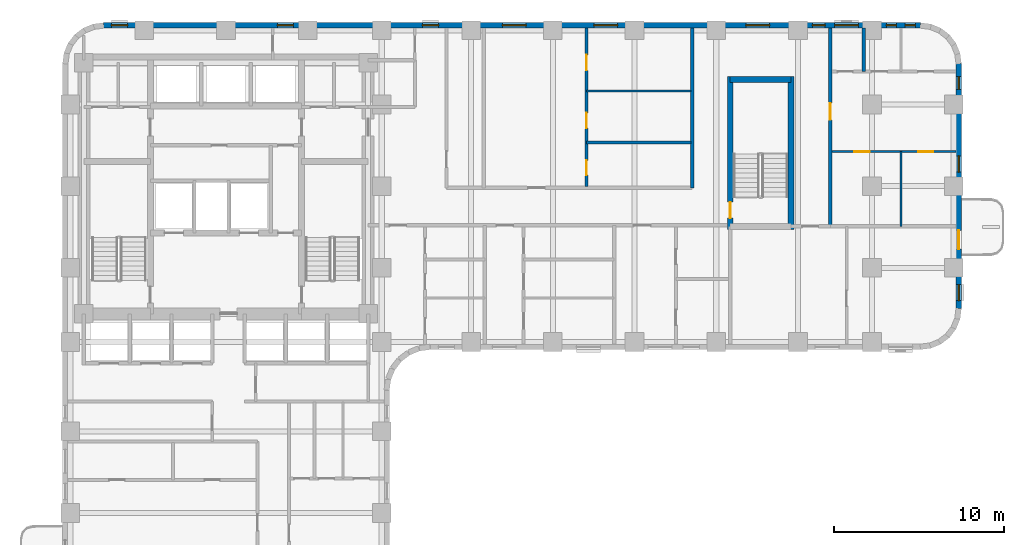
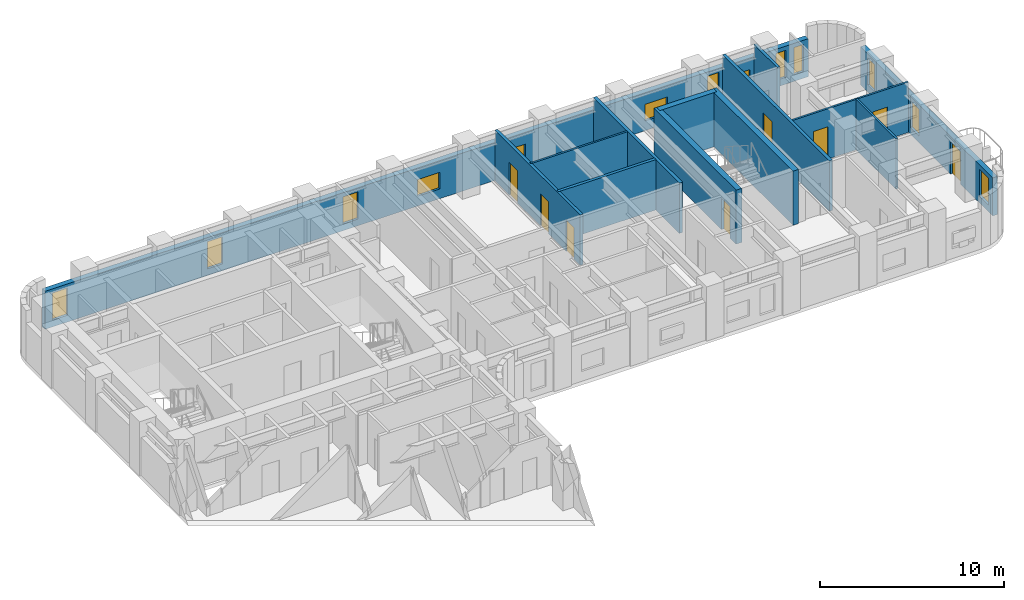
# One storey, part 7 of 11: 13 walls, 13 windows, 8 doors, 21 openings.
"""IFC4 building model written with IfcOpenShell, lengths in metres."""

from ifc_helpers import new_model, si_unit, direction, frame, frame_2d, origin, place, context, subcontext, project, spatial, rectangle, extrude, material, layer, layer_set, type_object, element, fill, save


model = new_model("IFC4")

# Units and contexts
model_context = context("Model", 3, precision=1e-05, world=origin(), true_north=direction((0.0, 1.0)))
body_context = subcontext(model_context, "Body", "Model", "MODEL_VIEW")
ifc_project = project(units=[si_unit("LENGTHUNIT", "METRE"), si_unit("AREAUNIT", "SQUARE_METRE"), si_unit("VOLUMEUNIT", "CUBIC_METRE"), si_unit("PLANEANGLEUNIT", "RADIAN"), si_unit("MASSUNIT", "GRAM", prefix="KILO")], contexts=[model_context])

# Site, building, storey
site_placement = place(None, origin())
site = spatial("IfcSite", under=ifc_project, at=site_placement, CompositionType="ELEMENT")
building_placement = place(site_placement, origin())
building = spatial("IfcBuilding", under=site, at=building_placement, Name="Orvandelia Arch Residences", CompositionType="ELEMENT")
storey_placement = place(building_placement, frame((0.0, 0.0, 46.60009765625)))
storey = spatial("IfcBuildingStorey", under=building, at=storey_placement, Name="L11", CompositionType="ELEMENT", Elevation=46.60009765625)

# Wall, opening, door
ifc_material_1 = material(Name="Concrete C50/60", Category="concrete")
ifc_layer_1 = layer(ifc_material_1, 0.35009765625, Name="Concrete C50/60", Category="concrete")
ifc_layer_set_1 = layer_set([ifc_layer_1], Name="Concrete C50/60")
wall_type_1 = type_object("IfcWallType", Name="WL-CORE-350", PredefinedType="SHEAR", material=ifc_layer_set_1)
wall_1_placement = place(storey_placement, frame((44.02001953125, 35.864990234375, 0.0), z_axis=(0.0, 0.0, 1.0), x_axis=(0.0, 1.0, 0.0)))
wall_1 = element("IfcWall", 1, at=wall_1_placement, inside=storey, type_object=wall_type_1, Name="East Stair Core Shear Wall L11-W", PredefinedType="SHEAR", context=body_context, shape_type="SweptSolid", body=[
    extrude(rectangle(XDim=8.969970703125, YDim=0.35009765625, at=frame_2d((4.48486328125, 0.0))), origin(), (0.0, 0.0, 1.0), 3.599853515625),
])
opening_1_placement = place(wall_1_placement, frame((0.64990234375, 0.0, 0.0)))
opening_1 = element("IfcOpeningElement", 2, at=opening_1_placement, cuts=wall_1, Name="Opening D7", PredefinedType="OPENING", context=body_context, shape_type="SweptSolid", body=[
    extrude(rectangle(XDim=0.949951171875, YDim=2.10009765625, at=frame_2d((0.47509765625, 1.050048828125))), frame((0.0, 0.18505859375, 0.0), z_axis=(0.0, -1.0, 0.0), x_axis=(1.0, 0.0, 0.0)), (0.0, 0.0, 1.0), 0.3701171875),
])
ifc_material_2 = material(Name="Pressurised Stairwell Fire Door")
door_type_1 = type_object("IfcDoorType", Name="DR-STAIR-950", OperationType="NOTDEFINED", PredefinedType="DOOR", material=ifc_material_2)
door_1_placement = place(opening_1_placement, origin())
door_1 = element("IfcDoor", 3, at=door_1_placement, inside=storey, type_object=door_type_1, Name="East Stairwell ST-3 Fire Door L11", OperationType="SINGLE_SWING_LEFT", OverallHeight=2.10009765625, OverallWidth=0.949951171875, PredefinedType="DOOR", context=body_context, shape_type="SweptSolid", body=[
    extrude(rectangle(XDim=0.949951171875, YDim=2.10009765625, at=frame_2d((0.47509765625, 1.050048828125))), frame((0.0, 0.02490234375, 0.0), z_axis=(0.0, -1.0, 0.0), x_axis=(1.0, 0.0, 0.0)), (0.0, 0.0, 1.0), 0.050048828125),
])
fill(opening_1, door_1)

# Walls
wall_2_placement = place(storey_placement, frame((47.60009765625, 35.864990234375, 0.0), z_axis=(0.0, 0.0, 1.0), x_axis=(0.0, 1.0, 0.0)))
element("IfcWall", 4, at=wall_2_placement, inside=storey, type_object=wall_type_1, Name="East Stair Core Shear Wall L11-E", PredefinedType="SHEAR", context=body_context, shape_type="SweptSolid", body=[
    extrude(rectangle(XDim=8.969970703125, YDim=0.35009765625, at=frame_2d((4.48486328125, 0.0))), origin(), (0.0, 0.0, 1.0), 3.599853515625),
])
wall_3_placement = place(storey_placement, frame((44.02001953125, 44.659912109375, 0.0), z_axis=(0.0, 0.0, 1.0), x_axis=(1.0, 0.0, 0.0)))
element("IfcWall", 5, at=wall_3_placement, inside=storey, type_object=wall_type_1, Name="East Stair Core Shear Wall L11-N", PredefinedType="SHEAR", context=body_context, shape_type="SweptSolid", body=[
    extrude(rectangle(XDim=3.580078125, YDim=0.35009765625, at=frame_2d((1.7900390625, 0.0))), origin(), (0.0, 0.0, 1.0), 3.599853515625),
])
ifc_material_3 = material(Name="Fire-Rated Corridor Partition")
ifc_layer_2 = layer(ifc_material_3, 0.199951171875, Name="Fire-Rated Corridor Partition")
ifc_layer_set_2 = layer_set([ifc_layer_2], Name="Fire-Rated Corridor Partition")
wall_type_2 = type_object("IfcWallType", Name="WL-CORR-200", PredefinedType="PARTITIONING", material=ifc_layer_set_2)
wall_4_placement = place(storey_placement, frame((41.780029296875, 38.300048828125, 0.0), z_axis=(0.0, 0.0, 1.0), x_axis=(0.0, 1.0, 0.0)))
element("IfcWall", 6, at=wall_4_placement, inside=storey, type_object=wall_type_2, Name="Interior Partition Wall WL-L11-ETV-W", PredefinedType="PARTITIONING", context=body_context, shape_type="SweptSolid", body=[
    extrude(rectangle(XDim=9.3798828125, YDim=0.199951171875, at=frame_2d((4.68994140625, 0.0))), origin(), (0.0, 0.0, 1.0), 3.349853515625),
])

# Wall, opening, door
wall_5_placement = place(storey_placement, frame((49.89990234375, 36.0400390625, 0.0), z_axis=(0.0, 0.0, 1.0), x_axis=(0.0, 1.0, 0.0)))
wall_5 = element("IfcWall", 7, at=wall_5_placement, inside=storey, type_object=wall_type_2, Name="Interior Partition Wall WL-L11-ETE-E", PredefinedType="PARTITIONING", context=body_context, shape_type="SweptSolid", body=[
    extrude(rectangle(XDim=11.639892578125, YDim=0.199951171875, at=frame_2d((5.81982421875, 0.0))), origin(), (0.0, 0.0, 1.0), 3.349853515625),
])
opening_2_placement = place(wall_5_placement, frame((6.25146484375, 0.0, 0.0)))
opening_2 = element("IfcOpeningElement", 8, at=opening_2_placement, cuts=wall_5, Name="Opening D1", PredefinedType="OPENING", context=body_context, shape_type="SweptSolid", body=[
    extrude(rectangle(XDim=0.97998046875, YDim=2.179931640625, at=frame_2d((0.489990234375, 1.08984375))), frame((0.0, 0.10986328125, 0.0), z_axis=(0.0, -1.0, 0.0), x_axis=(1.0, 0.0, 0.0)), (0.0, 0.0, 1.0), 0.219970703125),
])
ifc_material_4 = material(Name="Solid-Core Timber Acoustic Fire Door", Category="wood")
door_type_2 = type_object("IfcDoorType", Name="DR-ENT-980", OperationType="NOTDEFINED", PredefinedType="DOOR", material=ifc_material_4)
door_2_placement = place(opening_2_placement, origin())
door_2 = element("IfcDoor", 9, at=door_2_placement, inside=storey, type_object=door_type_2, Name="Unit L11-10 Entrance Door", OperationType="SINGLE_SWING_RIGHT", OverallHeight=2.179931640625, OverallWidth=0.97998046875, PredefinedType="DOOR", context=body_context, shape_type="SweptSolid", body=[
    extrude(rectangle(XDim=0.97998046875, YDim=2.179931640625, at=frame_2d((0.489990234375, 1.08984375))), frame((0.0, 0.02490234375, 0.0), z_axis=(0.0, -1.0, 0.0), x_axis=(1.0, 0.0, 0.0)), (0.0, 0.0, 1.0), 0.050048828125),
])
fill(opening_2, door_2)

# Wall, openings, windows
ifc_material_5 = material(Name="Precast concrete C40/50", Category="concrete")
ifc_layer_3 = layer(ifc_material_5, 0.320068359375, Name="Precast concrete C40/50", Category="concrete")
ifc_layer_set_3 = layer_set([ifc_layer_3], Name="Precast concrete C40/50")
wall_type_3 = type_object("IfcWallType", Name="WL-EXT-STONE-320", PredefinedType="STANDARD", material=ifc_layer_set_3)
wall_6_placement = place(storey_placement, frame((7.199951171875, 47.840087890625, 0.0), z_axis=(0.0, 0.0, 1.0), x_axis=(1.0, 0.0, 0.0)))
wall_6 = element("IfcWall", 10, at=wall_6_placement, inside=storey, type_object=wall_type_3, Name="Coral-Limestone Precast Facade Wall L11-007", PredefinedType="STANDARD", context=body_context, shape_type="SweptSolid", body=[
    extrude(rectangle(XDim=48.0, YDim=0.320068359375, at=frame_2d((24.0, 0.0))), origin(), (0.0, 0.0, 1.0), 2.52978515625),
])
opening_3_placement = place(wall_6_placement, frame((28.803466796875, 0.0, 0.64990234375)))
opening_3 = element("IfcOpeningElement", 11, at=opening_3_placement, cuts=wall_6, Name="Opening W10", PredefinedType="OPENING", context=body_context, shape_type="SweptSolid", body=[
    extrude(rectangle(XDim=1.39990234375, YDim=1.10009765625, at=frame_2d((0.699951171875, 0.550048828125))), frame((0.0, 0.169921875, 0.0), z_axis=(0.0, -1.0, 0.0), x_axis=(1.0, 0.0, 0.0)), (0.0, 0.0, 1.0), 0.340087890625),
])
opening_4_placement = place(wall_6_placement, frame((47.093994140625, 0.0, 0.449951171875)))
opening_4 = element("IfcOpeningElement", 12, at=opening_4_placement, cuts=wall_6, Name="Opening W12", PredefinedType="OPENING", context=body_context, shape_type="SweptSolid", body=[
    extrude(rectangle(XDim=0.60009765625, YDim=1.800048828125, at=frame_2d((0.300048828125, 0.89990234375))), frame((0.0, 0.169921875, 0.0), z_axis=(0.0, -1.0, 0.0), x_axis=(1.0, 0.0, 0.0)), (0.0, 0.0, 1.0), 0.340087890625),
])
opening_5_placement = place(wall_6_placement, frame((18.739990234375, 0.0, 0.449951171875)))
opening_5 = element("IfcOpeningElement", 13, at=opening_5_placement, cuts=wall_6, Name="Opening W4", PredefinedType="OPENING", context=body_context, shape_type="SweptSolid", body=[
    extrude(rectangle(XDim=0.949951171875, YDim=1.800048828125, at=frame_2d((0.47509765625, 0.89990234375))), frame((0.0, 0.169921875, 0.0), z_axis=(0.0, -1.0, 0.0), x_axis=(1.0, 0.0, 0.0)), (0.0, 0.0, 1.0), 0.340087890625),
])
opening_6_placement = place(wall_6_placement, frame((41.64990234375, 0.0, 0.449951171875)))
opening_6 = element("IfcOpeningElement", 14, at=opening_6_placement, cuts=wall_6, Name="Opening W11", PredefinedType="OPENING", context=body_context, shape_type="SweptSolid", body=[
    extrude(rectangle(XDim=0.75, YDim=1.800048828125, at=frame_2d((0.375, 0.89990234375))), frame((0.0, 0.169921875, 0.0), z_axis=(0.0, -1.0, 0.0), x_axis=(1.0, 0.0, 0.0)), (0.0, 0.0, 1.0), 0.340087890625),
])
opening_7_placement = place(wall_6_placement, frame((37.736083984375, 0.0, 0.64990234375)))
opening_7 = element("IfcOpeningElement", 15, at=opening_7_placement, cuts=wall_6, Name="Opening W10", PredefinedType="OPENING", context=body_context, shape_type="SweptSolid", body=[
    extrude(rectangle(XDim=1.39990234375, YDim=1.10009765625, at=frame_2d((0.699951171875, 0.550048828125))), frame((0.0, 0.169921875, 0.0), z_axis=(0.0, -1.0, 0.0), x_axis=(1.0, 0.0, 0.0)), (0.0, 0.0, 1.0), 0.340087890625),
])
opening_8_placement = place(wall_6_placement, frame((0.469970703125, 0.0, 0.449951171875)))
opening_8 = element("IfcOpeningElement", 16, at=opening_8_placement, cuts=wall_6, Name="Opening W4", PredefinedType="OPENING", context=body_context, shape_type="SweptSolid", body=[
    extrude(rectangle(XDim=0.949951171875, YDim=1.800048828125, at=frame_2d((0.47509765625, 0.89990234375))), frame((0.0, 0.169921875, 0.0), z_axis=(0.0, -1.0, 0.0), x_axis=(1.0, 0.0, 0.0)), (0.0, 0.0, 1.0), 0.340087890625),
])
opening_9_placement = place(wall_6_placement, frame((10.215087890625, 0.0, 0.449951171875)))
opening_9 = element("IfcOpeningElement", 17, at=opening_9_placement, cuts=wall_6, Name="Opening W4", PredefinedType="OPENING", context=body_context, shape_type="SweptSolid", body=[
    extrude(rectangle(XDim=0.949951171875, YDim=1.800048828125, at=frame_2d((0.47509765625, 0.89990234375))), frame((0.0, 0.169921875, 0.0), z_axis=(0.0, -1.0, 0.0), x_axis=(1.0, 0.0, 0.0)), (0.0, 0.0, 1.0), 0.340087890625),
])
opening_10_placement = place(wall_6_placement, frame((23.429931640625, 0.0, 0.64990234375)))
opening_10 = element("IfcOpeningElement", 18, at=opening_10_placement, cuts=wall_6, Name="Opening W10", PredefinedType="OPENING", context=body_context, shape_type="SweptSolid", body=[
    extrude(rectangle(XDim=1.39990234375, YDim=1.10009765625, at=frame_2d((0.699951171875, 0.550048828125))), frame((0.0, 0.169921875, 0.0), z_axis=(0.0, -1.0, 0.0), x_axis=(1.0, 0.0, 0.0)), (0.0, 0.0, 1.0), 0.340087890625),
])
opening_11_placement = place(wall_6_placement, frame((42.949951171875, 0.0, 0.64990234375)))
opening_11 = element("IfcOpeningElement", 19, at=opening_11_placement, cuts=wall_6, Name="Opening W10", PredefinedType="OPENING", context=body_context, shape_type="SweptSolid", body=[
    extrude(rectangle(XDim=1.39990234375, YDim=1.10009765625, at=frame_2d((0.699951171875, 0.550048828125))), frame((0.0, 0.169921875, 0.0), z_axis=(0.0, -1.0, 0.0), x_axis=(1.0, 0.0, 0.0)), (0.0, 0.0, 1.0), 0.340087890625),
])
opening_12_placement = place(wall_6_placement, frame((45.98388671875, 0.0, 0.449951171875)))
opening_12 = element("IfcOpeningElement", 20, at=opening_12_placement, cuts=wall_6, Name="Opening W12", PredefinedType="OPENING", context=body_context, shape_type="SweptSolid", body=[
    extrude(rectangle(XDim=0.60009765625, YDim=1.800048828125, at=frame_2d((0.300048828125, 0.89990234375))), frame((0.0, 0.169921875, 0.0), z_axis=(0.0, -1.0, 0.0), x_axis=(1.0, 0.0, 0.0)), (0.0, 0.0, 1.0), 0.340087890625),
])
ifc_material_6 = material(Name="Tempered Low-E Insulated Glazing", Category="glass")
window_type_1 = type_object("IfcWindowType", Name="WIN-BED-0750x1800", PartitioningType="SINGLE_PANEL", PredefinedType="WINDOW", material=ifc_material_6)
window_1_placement = place(opening_6_placement, origin())
window_1 = element("IfcWindow", 21, at=window_1_placement, inside=storey, type_object=window_type_1, Name="Recessed Punched Window L11-004", OverallHeight=1.800048828125, OverallWidth=0.75, PartitioningType="SINGLE_PANEL", PredefinedType="WINDOW", context=body_context, shape_type="SweptSolid", body=[
    extrude(rectangle(XDim=0.75, YDim=1.800048828125, at=frame_2d((0.375, 0.89990234375))), frame((0.0, 0.030029296875, 0.0), z_axis=(0.0, -1.0, 0.0), x_axis=(1.0, 0.0, 0.0)), (0.0, 0.0, 1.0), 0.06005859375),
])
fill(opening_6, window_1)
window_type_2 = type_object("IfcWindowType", Name="WIN-CLR-1400x1100", PartitioningType="SINGLE_PANEL", PredefinedType="WINDOW", material=ifc_material_6)
window_2_placement = place(opening_3_placement, origin())
window_2 = element("IfcWindow", 22, at=window_2_placement, inside=storey, type_object=window_type_2, Name="Recessed Punched Window L11-001", OverallHeight=1.10009765625, OverallWidth=1.39990234375, PartitioningType="SINGLE_PANEL", PredefinedType="WINDOW", context=body_context, shape_type="SweptSolid", body=[
    extrude(rectangle(XDim=1.39990234375, YDim=1.10009765625, at=frame_2d((0.699951171875, 0.550048828125))), frame((0.0, 0.030029296875, 0.0), z_axis=(0.0, -1.0, 0.0), x_axis=(1.0, 0.0, 0.0)), (0.0, 0.0, 1.0), 0.06005859375),
])
fill(opening_3, window_2)
window_3_placement = place(opening_7_placement, origin())
window_3 = element("IfcWindow", 23, at=window_3_placement, inside=storey, type_object=window_type_2, Name="Recessed Punched Window L11-005", OverallHeight=1.10009765625, OverallWidth=1.39990234375, PartitioningType="SINGLE_PANEL", PredefinedType="WINDOW", context=body_context, shape_type="SweptSolid", body=[
    extrude(rectangle(XDim=1.39990234375, YDim=1.10009765625, at=frame_2d((0.699951171875, 0.550048828125))), frame((0.0, 0.030029296875, 0.0), z_axis=(0.0, -1.0, 0.0), x_axis=(1.0, 0.0, 0.0)), (0.0, 0.0, 1.0), 0.06005859375),
])
fill(opening_7, window_3)
window_4_placement = place(opening_10_placement, origin())
window_4 = element("IfcWindow", 24, at=window_4_placement, inside=storey, type_object=window_type_2, Name="Recessed Punched Window L11-008", OverallHeight=1.10009765625, OverallWidth=1.39990234375, PartitioningType="SINGLE_PANEL", PredefinedType="WINDOW", context=body_context, shape_type="SweptSolid", body=[
    extrude(rectangle(XDim=1.39990234375, YDim=1.10009765625, at=frame_2d((0.699951171875, 0.550048828125))), frame((0.0, 0.030029296875, 0.0), z_axis=(0.0, -1.0, 0.0), x_axis=(1.0, 0.0, 0.0)), (0.0, 0.0, 1.0), 0.06005859375),
])
fill(opening_10, window_4)
window_5_placement = place(opening_11_placement, origin())
window_5 = element("IfcWindow", 25, at=window_5_placement, inside=storey, type_object=window_type_2, Name="Recessed Punched Window L11-009", OverallHeight=1.10009765625, OverallWidth=1.39990234375, PartitioningType="SINGLE_PANEL", PredefinedType="WINDOW", context=body_context, shape_type="SweptSolid", body=[
    extrude(rectangle(XDim=1.39990234375, YDim=1.10009765625, at=frame_2d((0.699951171875, 0.550048828125))), frame((0.0, 0.030029296875, 0.0), z_axis=(0.0, -1.0, 0.0), x_axis=(1.0, 0.0, 0.0)), (0.0, 0.0, 1.0), 0.06005859375),
])
fill(opening_11, window_5)
window_type_3 = type_object("IfcWindowType", Name="WIN-LAN-0600x1800", PartitioningType="SINGLE_PANEL", PredefinedType="WINDOW", material=ifc_material_6)
window_6_placement = place(opening_4_placement, origin())
window_6 = element("IfcWindow", 26, at=window_6_placement, inside=storey, type_object=window_type_3, Name="Recessed Punched Window L11-002", OverallHeight=1.800048828125, OverallWidth=0.60009765625, PartitioningType="SINGLE_PANEL", PredefinedType="WINDOW", context=body_context, shape_type="SweptSolid", body=[
    extrude(rectangle(XDim=0.60009765625, YDim=1.800048828125, at=frame_2d((0.300048828125, 0.89990234375))), frame((0.0, 0.030029296875, 0.0), z_axis=(0.0, -1.0, 0.0), x_axis=(1.0, 0.0, 0.0)), (0.0, 0.0, 1.0), 0.06005859375),
])
fill(opening_4, window_6)
window_7_placement = place(opening_12_placement, origin())
window_7 = element("IfcWindow", 27, at=window_7_placement, inside=storey, type_object=window_type_3, Name="Recessed Punched Window L11-010", OverallHeight=1.800048828125, OverallWidth=0.60009765625, PartitioningType="SINGLE_PANEL", PredefinedType="WINDOW", context=body_context, shape_type="SweptSolid", body=[
    extrude(rectangle(XDim=0.60009765625, YDim=1.800048828125, at=frame_2d((0.300048828125, 0.89990234375))), frame((0.0, 0.030029296875, 0.0), z_axis=(0.0, -1.0, 0.0), x_axis=(1.0, 0.0, 0.0)), (0.0, 0.0, 1.0), 0.06005859375),
])
fill(opening_12, window_7)
window_type_4 = type_object("IfcWindowType", Name="WIN-RES-0950x1800", PartitioningType="SINGLE_PANEL", PredefinedType="WINDOW", material=ifc_material_6)
window_8_placement = place(opening_5_placement, origin())
window_8 = element("IfcWindow", 28, at=window_8_placement, inside=storey, type_object=window_type_4, Name="Recessed Punched Window L11-003", OverallHeight=1.800048828125, OverallWidth=0.949951171875, PartitioningType="SINGLE_PANEL", PredefinedType="WINDOW", context=body_context, shape_type="SweptSolid", body=[
    extrude(rectangle(XDim=0.949951171875, YDim=1.800048828125, at=frame_2d((0.47509765625, 0.89990234375))), frame((0.0, 0.030029296875, 0.0), z_axis=(0.0, -1.0, 0.0), x_axis=(1.0, 0.0, 0.0)), (0.0, 0.0, 1.0), 0.06005859375),
])
fill(opening_5, window_8)
window_9_placement = place(opening_8_placement, origin())
window_9 = element("IfcWindow", 29, at=window_9_placement, inside=storey, type_object=window_type_4, Name="Recessed Punched Window L11-006", OverallHeight=1.800048828125, OverallWidth=0.949951171875, PartitioningType="SINGLE_PANEL", PredefinedType="WINDOW", context=body_context, shape_type="SweptSolid", body=[
    extrude(rectangle(XDim=0.949951171875, YDim=1.800048828125, at=frame_2d((0.47509765625, 0.89990234375))), frame((0.0, 0.030029296875, 0.0), z_axis=(0.0, -1.0, 0.0), x_axis=(1.0, 0.0, 0.0)), (0.0, 0.0, 1.0), 0.06005859375),
])
fill(opening_8, window_9)
window_10_placement = place(opening_9_placement, origin())
window_10 = element("IfcWindow", 30, at=window_10_placement, inside=storey, type_object=window_type_4, Name="Recessed Punched Window L11-007", OverallHeight=1.800048828125, OverallWidth=0.949951171875, PartitioningType="SINGLE_PANEL", PredefinedType="WINDOW", context=body_context, shape_type="SweptSolid", body=[
    extrude(rectangle(XDim=0.949951171875, YDim=1.800048828125, at=frame_2d((0.47509765625, 0.89990234375))), frame((0.0, 0.030029296875, 0.0), z_axis=(0.0, -1.0, 0.0), x_axis=(1.0, 0.0, 0.0)), (0.0, 0.0, 1.0), 0.06005859375),
])
fill(opening_9, window_10)

# Wall, openings, door, windows
wall_7_placement = place(storey_placement, frame((57.43994140625, 45.60009765625, 0.0), z_axis=(0.0, 0.0, 1.0), x_axis=(0.0, -1.0, 0.0)))
wall_7 = element("IfcWall", 31, at=wall_7_placement, inside=storey, type_object=wall_type_3, Name="Coral-Limestone Precast Facade Wall L11-014", PredefinedType="STANDARD", context=body_context, shape_type="SweptSolid", body=[
    extrude(rectangle(XDim=14.400146484375, YDim=0.320068359375, at=frame_2d((7.2001953125, 0.0))), origin(), (0.0, 0.0, 1.0), 2.52978515625),
])
opening_13_placement = place(wall_7_placement, frame((9.800048828125, 0.0, 0.0)))
opening_13 = element("IfcOpeningElement", 32, at=opening_13_placement, cuts=wall_7, Name="Opening BD1", PredefinedType="OPENING", context=body_context, shape_type="SweptSolid", body=[
    extrude(rectangle(XDim=1.10009765625, YDim=2.14990234375, at=frame_2d((0.550048828125, 1.074951171875))), frame((0.0, 0.169921875, 0.0), z_axis=(0.0, -1.0, 0.0), x_axis=(1.0, 0.0, 0.0)), (0.0, 0.0, 1.0), 0.340087890625),
])
opening_14_placement = place(wall_7_placement, frame((5.427978515625, 0.0, 0.449951171875)))
opening_14 = element("IfcOpeningElement", 33, at=opening_14_placement, cuts=wall_7, Name="Opening W4", PredefinedType="OPENING", context=body_context, shape_type="SweptSolid", body=[
    extrude(rectangle(XDim=0.949951171875, YDim=1.800048828125, at=frame_2d((0.47509765625, 0.89990234375))), frame((0.0, 0.169921875, 0.0), z_axis=(0.0, -1.0, 0.0), x_axis=(1.0, 0.0, 0.0)), (0.0, 0.0, 1.0), 0.340087890625),
])
opening_15_placement = place(wall_7_placement, frame((12.97998046875, 0.0, 0.449951171875)))
opening_15 = element("IfcOpeningElement", 34, at=opening_15_placement, cuts=wall_7, Name="Opening W4", PredefinedType="OPENING", context=body_context, shape_type="SweptSolid", body=[
    extrude(rectangle(XDim=0.949951171875, YDim=1.800048828125, at=frame_2d((0.47509765625, 0.89990234375))), frame((0.0, 0.169921875, 0.0), z_axis=(0.0, -1.0, 0.0), x_axis=(1.0, 0.0, 0.0)), (0.0, 0.0, 1.0), 0.340087890625),
])
opening_16_placement = place(wall_7_placement, frame((0.7705078125, 0.0, 0.449951171875)))
opening_16 = element("IfcOpeningElement", 35, at=opening_16_placement, cuts=wall_7, Name="Opening W11", PredefinedType="OPENING", context=body_context, shape_type="SweptSolid", body=[
    extrude(rectangle(XDim=0.75, YDim=1.800048828125, at=frame_2d((0.375, 0.89990234375))), frame((0.0, 0.169921875, 0.0), z_axis=(0.0, -1.0, 0.0), x_axis=(1.0, 0.0, 0.0)), (0.0, 0.0, 1.0), 0.340087890625),
])
ifc_material_7 = material(Name="Thermally Broken Aluminium Glazed Door", Category="aluminium")
door_type_3 = type_object("IfcDoorType", Name="DR-BAL-GLAZ-1100", OperationType="NOTDEFINED", PredefinedType="DOOR", material=ifc_material_7)
door_3_placement = place(opening_13_placement, origin())
door_3 = element("IfcDoor", 36, at=door_3_placement, inside=storey, type_object=door_type_3, Name="Tree Balcony Glazed Door BAL-L11-E1", OperationType="SINGLE_SWING_LEFT", OverallHeight=2.14990234375, OverallWidth=1.10009765625, PredefinedType="DOOR", context=body_context, shape_type="SweptSolid", body=[
    extrude(rectangle(XDim=1.10009765625, YDim=2.14990234375, at=frame_2d((0.550048828125, 1.074951171875))), frame((0.0, 0.02490234375, 0.0), z_axis=(0.0, -1.0, 0.0), x_axis=(1.0, 0.0, 0.0)), (0.0, 0.0, 1.0), 0.050048828125),
])
fill(opening_13, door_3)
window_11_placement = place(opening_16_placement, origin())
window_11 = element("IfcWindow", 37, at=window_11_placement, inside=storey, type_object=window_type_1, Name="Recessed Punched Window L11-013", OverallHeight=1.800048828125, OverallWidth=0.75, PartitioningType="SINGLE_PANEL", PredefinedType="WINDOW", context=body_context, shape_type="SweptSolid", body=[
    extrude(rectangle(XDim=0.75, YDim=1.800048828125, at=frame_2d((0.375, 0.89990234375))), frame((0.0, 0.030029296875, 0.0), z_axis=(0.0, -1.0, 0.0), x_axis=(1.0, 0.0, 0.0)), (0.0, 0.0, 1.0), 0.06005859375),
])
fill(opening_16, window_11)
window_12_placement = place(opening_14_placement, origin())
window_12 = element("IfcWindow", 38, at=window_12_placement, inside=storey, type_object=window_type_4, Name="Recessed Punched Window L11-011", OverallHeight=1.800048828125, OverallWidth=0.949951171875, PartitioningType="SINGLE_PANEL", PredefinedType="WINDOW", context=body_context, shape_type="SweptSolid", body=[
    extrude(rectangle(XDim=0.949951171875, YDim=1.800048828125, at=frame_2d((0.47509765625, 0.89990234375))), frame((0.0, 0.030029296875, 0.0), z_axis=(0.0, -1.0, 0.0), x_axis=(1.0, 0.0, 0.0)), (0.0, 0.0, 1.0), 0.06005859375),
])
fill(opening_14, window_12)
window_13_placement = place(opening_15_placement, origin())
window_13 = element("IfcWindow", 39, at=window_13_placement, inside=storey, type_object=window_type_4, Name="Recessed Punched Window L11-012", OverallHeight=1.800048828125, OverallWidth=0.949951171875, PartitioningType="SINGLE_PANEL", PredefinedType="WINDOW", context=body_context, shape_type="SweptSolid", body=[
    extrude(rectangle(XDim=0.949951171875, YDim=1.800048828125, at=frame_2d((0.47509765625, 0.89990234375))), frame((0.0, 0.030029296875, 0.0), z_axis=(0.0, -1.0, 0.0), x_axis=(1.0, 0.0, 0.0)), (0.0, 0.0, 1.0), 0.06005859375),
])
fill(opening_15, window_13)

# Wall
ifc_material_8 = material(Name="Lightweight Gypsum Stud Partition")
ifc_layer_4 = layer(ifc_material_8, 0.1201171875, Name="Lightweight Gypsum Stud Partition")
ifc_layer_set_4 = layer_set([ifc_layer_4], Name="Lightweight Gypsum Stud Partition")
wall_type_4 = type_object("IfcWallType", Name="WL-PART-120", PredefinedType="PARTITIONING", material=ifc_layer_set_4)
wall_8_placement = place(storey_placement, frame((35.576904296875, 43.99609375, 0.0), z_axis=(0.0, 0.0, 1.0), x_axis=(1.0, 0.0, 0.0)))
element("IfcWall", 40, at=wall_8_placement, inside=storey, type_object=wall_type_4, Name="Interior Partition Wall WL-L11-U09-H2", PredefinedType="PARTITIONING", context=body_context, shape_type="SweptSolid", body=[
    extrude(rectangle(XDim=6.123046875, YDim=0.1201171875, at=frame_2d((3.0615234375, 0.0))), origin(), (0.0, 0.0, 1.0), 3.349853515625),
])

# Wall, openings, doors
wall_9_placement = place(storey_placement, frame((50.0, 40.424072265625, 0.0), z_axis=(0.0, 0.0, 1.0), x_axis=(1.0, 0.0, 0.0)))
wall_9 = element("IfcWall", 41, at=wall_9_placement, inside=storey, type_object=wall_type_4, Name="Interior Partition Wall WL-L11-U10-HB", PredefinedType="PARTITIONING", context=body_context, shape_type="SweptSolid", body=[
    extrude(rectangle(XDim=7.280029296875, YDim=0.1201171875, at=frame_2d((3.64013671875, 0.0))), origin(), (0.0, 0.0, 1.0), 3.349853515625),
])
opening_17_placement = place(wall_9_placement, frame((1.30419921875, 0.0, 0.0)))
opening_17 = element("IfcOpeningElement", 42, at=opening_17_placement, cuts=wall_9, Name="Opening D3", PredefinedType="OPENING", context=body_context, shape_type="SweptSolid", body=[
    extrude(rectangle(XDim=0.89990234375, YDim=2.14990234375, at=frame_2d((0.449951171875, 1.074951171875))), frame((0.0, 0.070068359375, 0.0), z_axis=(0.0, -1.0, 0.0), x_axis=(1.0, 0.0, 0.0)), (0.0, 0.0, 1.0), 0.14013671875),
])
opening_18_placement = place(wall_9_placement, frame((5.056884765625, 0.0, 0.0)))
opening_18 = element("IfcOpeningElement", 43, at=opening_18_placement, cuts=wall_9, Name="Opening D3", PredefinedType="OPENING", context=body_context, shape_type="SweptSolid", body=[
    extrude(rectangle(XDim=0.89990234375, YDim=2.14990234375, at=frame_2d((0.449951171875, 1.074951171875))), frame((0.0, 0.070068359375, 0.0), z_axis=(0.0, -1.0, 0.0), x_axis=(1.0, 0.0, 0.0)), (0.0, 0.0, 1.0), 0.14013671875),
])
ifc_material_9 = material(Name="Engineered Timber Flush Door", Category="wood")
door_type_4 = type_object("IfcDoorType", Name="DR-INT-900", OperationType="NOTDEFINED", PredefinedType="DOOR", material=ifc_material_9)
door_4_placement = place(opening_17_placement, origin())
door_4 = element("IfcDoor", 44, at=door_4_placement, inside=storey, type_object=door_type_4, Name="DR-L11-U10-STDY", OperationType="SINGLE_SWING_RIGHT", OverallHeight=2.14990234375, OverallWidth=0.89990234375, PredefinedType="DOOR", context=body_context, shape_type="SweptSolid", body=[
    extrude(rectangle(XDim=0.89990234375, YDim=2.14990234375, at=frame_2d((0.449951171875, 1.074951171875))), frame((0.0, 0.02490234375, 0.0), z_axis=(0.0, -1.0, 0.0), x_axis=(1.0, 0.0, 0.0)), (0.0, 0.0, 1.0), 0.050048828125),
])
fill(opening_17, door_4)
door_5_placement = place(opening_18_placement, origin())
door_5 = element("IfcDoor", 45, at=door_5_placement, inside=storey, type_object=door_type_4, Name="DR-L11-U10-BD2", OperationType="SINGLE_SWING_LEFT", OverallHeight=2.14990234375, OverallWidth=0.89990234375, PredefinedType="DOOR", context=body_context, shape_type="SweptSolid", body=[
    extrude(rectangle(XDim=0.89990234375, YDim=2.14990234375, at=frame_2d((0.449951171875, 1.074951171875))), frame((0.0, 0.02490234375, 0.0), z_axis=(0.0, -1.0, 0.0), x_axis=(1.0, 0.0, 0.0)), (0.0, 0.0, 1.0), 0.050048828125),
])
fill(opening_18, door_5)

# Wall
wall_10_placement = place(storey_placement, frame((54.048095703125, 36.0400390625, 0.0), z_axis=(0.0, 0.0, 1.0), x_axis=(0.0, 1.0, 0.0)))
element("IfcWall", 46, at=wall_10_placement, inside=storey, type_object=wall_type_4, Name="Interior Partition Wall WL-L11-U10-VB", PredefinedType="PARTITIONING", context=body_context, shape_type="SweptSolid", body=[
    extrude(rectangle(XDim=4.384033203125, YDim=0.1201171875, at=frame_2d((2.19189453125, 0.0))), origin(), (0.0, 0.0, 1.0), 3.349853515625),
])

# Wall, openings, doors
ifc_material_10 = material(Name="Moisture-Resistant Plumbing Wall")
ifc_layer_5 = layer(ifc_material_10, 0.179931640625, Name="Moisture-Resistant Plumbing Wall")
ifc_layer_set_5 = layer_set([ifc_layer_5], Name="Moisture-Resistant Plumbing Wall")
wall_type_5 = type_object("IfcWallType", Name="WL-WET-180", PredefinedType="PLUMBINGWALL", material=ifc_layer_set_5)
wall_11_placement = place(storey_placement, frame((35.576904296875, 38.3798828125, 0.0), z_axis=(0.0, 0.0, 1.0), x_axis=(0.0, 1.0, 0.0)))
wall_11 = element("IfcWall", 47, at=wall_11_placement, inside=storey, type_object=wall_type_5, Name="Interior Partition Wall WL-L11-U09-VT", PredefinedType="PLUMBINGWALL", context=body_context, shape_type="SweptSolid", body=[
    extrude(rectangle(XDim=9.300048828125, YDim=0.179931640625, at=frame_2d((4.64990234375, 0.0))), origin(), (0.0, 0.0, 1.0), 3.349853515625),
])
opening_19_placement = place(wall_11_placement, frame((0.66748046875, 0.0, 0.0)))
opening_19 = element("IfcOpeningElement", 48, at=opening_19_placement, cuts=wall_11, Name="Opening D4", PredefinedType="OPENING", context=body_context, shape_type="SweptSolid", body=[
    extrude(rectangle(XDim=0.860107421875, YDim=2.10009765625, at=frame_2d((0.43017578125, 1.050048828125))), frame((0.0, 0.10009765625, 0.0), z_axis=(0.0, -1.0, 0.0), x_axis=(1.0, 0.0, 0.0)), (0.0, 0.0, 1.0), 0.199951171875),
])
opening_20_placement = place(wall_11_placement, frame((3.430419921875, 0.0, 0.0)))
opening_20 = element("IfcOpeningElement", 49, at=opening_20_placement, cuts=wall_11, Name="Opening D3", PredefinedType="OPENING", context=body_context, shape_type="SweptSolid", body=[
    extrude(rectangle(XDim=0.89990234375, YDim=2.14990234375, at=frame_2d((0.449951171875, 1.074951171875))), frame((0.0, 0.10009765625, 0.0), z_axis=(0.0, -1.0, 0.0), x_axis=(1.0, 0.0, 0.0)), (0.0, 0.0, 1.0), 0.199951171875),
])
opening_21_placement = place(wall_11_placement, frame((6.828369140625, 0.0, 0.0)))
opening_21 = element("IfcOpeningElement", 50, at=opening_21_placement, cuts=wall_11, Name="Opening D3", PredefinedType="OPENING", context=body_context, shape_type="SweptSolid", body=[
    extrude(rectangle(XDim=0.89990234375, YDim=2.14990234375, at=frame_2d((0.449951171875, 1.074951171875))), frame((0.0, 0.10009765625, 0.0), z_axis=(0.0, -1.0, 0.0), x_axis=(1.0, 0.0, 0.0)), (0.0, 0.0, 1.0), 0.199951171875),
])
door_6_placement = place(opening_20_placement, origin())
door_6 = element("IfcDoor", 51, at=door_6_placement, inside=storey, type_object=door_type_4, Name="DR-L11-U09-KIT", OperationType="SINGLE_SWING_LEFT", OverallHeight=2.14990234375, OverallWidth=0.89990234375, PredefinedType="DOOR", context=body_context, shape_type="SweptSolid", body=[
    extrude(rectangle(XDim=0.89990234375, YDim=2.14990234375, at=frame_2d((0.449951171875, 1.074951171875))), frame((0.0, 0.02490234375, 0.0), z_axis=(0.0, -1.0, 0.0), x_axis=(1.0, 0.0, 0.0)), (0.0, 0.0, 1.0), 0.050048828125),
])
fill(opening_20, door_6)
door_7_placement = place(opening_21_placement, origin())
door_7 = element("IfcDoor", 52, at=door_7_placement, inside=storey, type_object=door_type_4, Name="DR-L11-U09-BD1", OperationType="SINGLE_SWING_RIGHT", OverallHeight=2.14990234375, OverallWidth=0.89990234375, PredefinedType="DOOR", context=body_context, shape_type="SweptSolid", body=[
    extrude(rectangle(XDim=0.89990234375, YDim=2.14990234375, at=frame_2d((0.449951171875, 1.074951171875))), frame((0.0, 0.02490234375, 0.0), z_axis=(0.0, -1.0, 0.0), x_axis=(1.0, 0.0, 0.0)), (0.0, 0.0, 1.0), 0.050048828125),
])
fill(opening_21, door_7)
ifc_material_11 = material(Name="Moisture-Sealed Timber Bathroom Door", Category="wood")
door_type_5 = type_object("IfcDoorType", Name="DR-WET-900", OperationType="NOTDEFINED", PredefinedType="DOOR", material=ifc_material_11)
door_8_placement = place(opening_19_placement, origin())
door_8 = element("IfcDoor", 53, at=door_8_placement, inside=storey, type_object=door_type_5, Name="DR-L11-U09-BTH", OperationType="SINGLE_SWING_RIGHT", OverallHeight=2.10009765625, OverallWidth=0.860107421875, PredefinedType="DOOR", context=body_context, shape_type="SweptSolid", body=[
    extrude(rectangle(XDim=0.860107421875, YDim=2.10009765625, at=frame_2d((0.43017578125, 1.050048828125))), frame((0.0, 0.02490234375, 0.0), z_axis=(0.0, -1.0, 0.0), x_axis=(1.0, 0.0, 0.0)), (0.0, 0.0, 1.0), 0.050048828125),
])
fill(opening_19, door_8)

# Walls
wall_12_placement = place(storey_placement, frame((35.576904296875, 40.962890625, 0.0), z_axis=(0.0, 0.0, 1.0), x_axis=(1.0, 0.0, 0.0)))
element("IfcWall", 54, at=wall_12_placement, inside=storey, type_object=wall_type_5, Name="Interior Partition Wall WL-L11-U09-H1", PredefinedType="PLUMBINGWALL", context=body_context, shape_type="SweptSolid", body=[
    extrude(rectangle(XDim=6.123046875, YDim=0.179931640625, at=frame_2d((3.0615234375, 0.0))), origin(), (0.0, 0.0, 1.0), 3.349853515625),
])
wall_13_placement = place(storey_placement, frame((51.862060546875, 45.138916015625, 0.0), z_axis=(0.0, 0.0, 1.0), x_axis=(0.0, 1.0, 0.0)))
element("IfcWall", 55, at=wall_13_placement, inside=storey, type_object=wall_type_5, Name="Interior Partition Wall WL-L11-U10-V1", PredefinedType="PLUMBINGWALL", context=body_context, shape_type="SweptSolid", body=[
    extrude(rectangle(XDim=2.541015625, YDim=0.179931640625, at=frame_2d((1.2705078125, 0.0))), origin(), (0.0, 0.0, 1.0), 3.349853515625),
])

save(model, "model.ifc")
